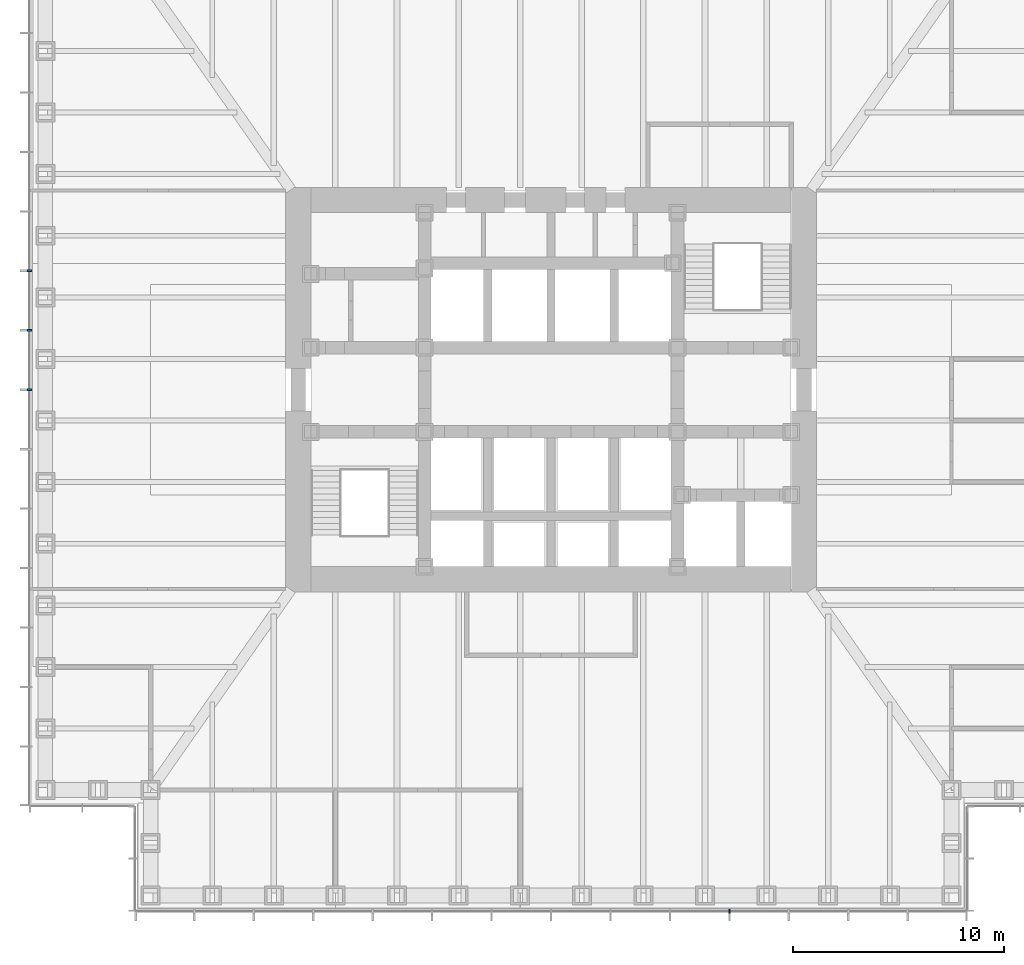
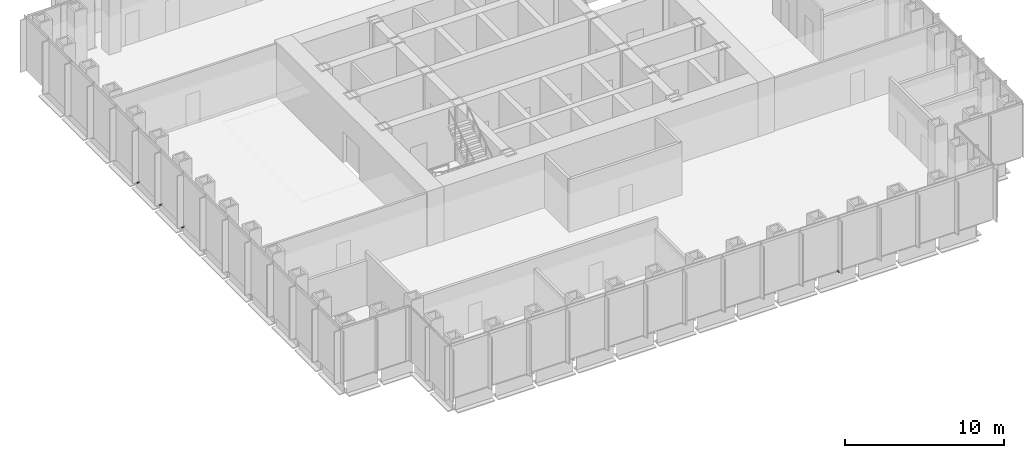
# One storey, part 12 of 16: 4 discrete accessories.
"""IFC4 building model written with IfcOpenShell, lengths in metres."""

from ifc_helpers import new_model, si_unit, direction, frame, origin, origin_2d, place, context, subcontext, project, spatial, rectangle, extrude, element, save


model = new_model("IFC4")

# Units and contexts
model_context = context("Model", 3, precision=1e-05, world=origin(), true_north=direction((0.0, 1.0)))
body_context = subcontext(model_context, "Body", "Model", "MODEL_VIEW")
ifc_project = project(units=[si_unit("LENGTHUNIT", "METRE"), si_unit("AREAUNIT", "SQUARE_METRE"), si_unit("VOLUMEUNIT", "CUBIC_METRE"), si_unit("PLANEANGLEUNIT", "RADIAN"), si_unit("MASSUNIT", "GRAM", prefix="KILO")], contexts=[model_context])

# Site, building, storey
site_placement = place(None, origin())
site = spatial("IfcSite", under=ifc_project, at=site_placement, CompositionType="ELEMENT")
building_placement = place(site_placement, origin())
building = spatial("IfcBuilding", under=site, at=building_placement, Name="Daluyong Arena Tower", CompositionType="ELEMENT")
storey_placement = place(building_placement, frame((0.0, 0.0, 64.300048828125)))
storey = spatial("IfcBuildingStorey", under=building, at=storey_placement, Name="L13", CompositionType="ELEMENT", Elevation=64.300048828125)

# Discrete accessories
for number, where, z_axis, x_axis, name in (
    (1, (64.46435546875, 55.25, -0.10009765625), (0.0, 0.0, 1.0), (1.0, 0.0, 0.0), "curtain wall L13 S anchor bracket 11"),
    (2, (31.25, 85.642822265625, -0.10009765625), (0.0, 0.0, 1.0), (0.0, -1.0, 0.0), "curtain wall L13 W anchor bracket 6"),
    (3, (31.25, 82.821533203125, -0.10009765625), (0.0, 0.0, 1.0), (0.0, -1.0, 0.0), "curtain wall L13 W anchor bracket 7"),
    (4, (31.25, 80.0, -0.10009765625), (0.0, 0.0, 1.0), (0.0, -1.0, 0.0), "curtain wall L13 W anchor bracket 8"),
):
    element("IfcDiscreteAccessory", number, at=place(storey_placement, frame(where, z_axis=z_axis, x_axis=x_axis)), inside=storey, Name=name, PredefinedType="BRACKET", context=body_context, shape_type="SweptSolid", body=[
        extrude(rectangle(XDim=0.080078125, YDim=0.199951171875, at=origin_2d()), origin(), (0.0, 0.0, 1.0), 0.10009765625),
    ])

save(model, "model.ifc")
